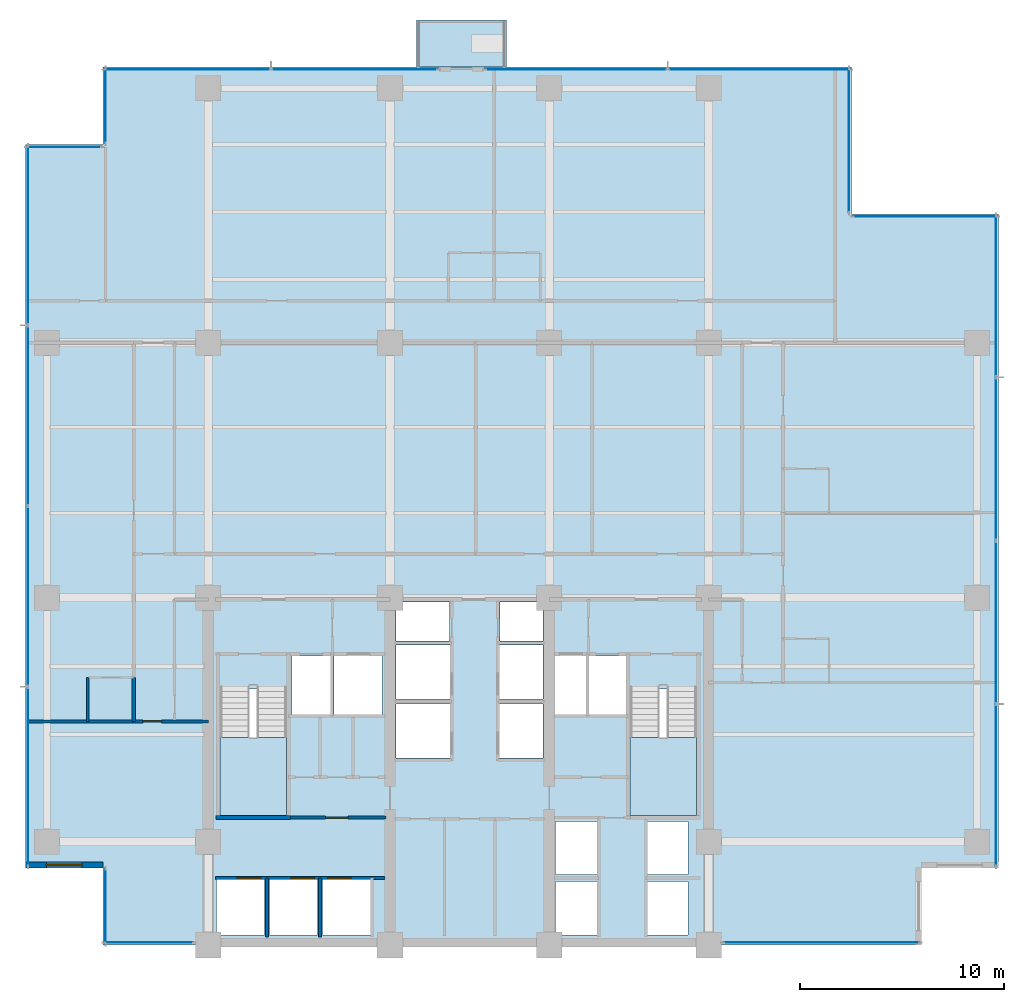
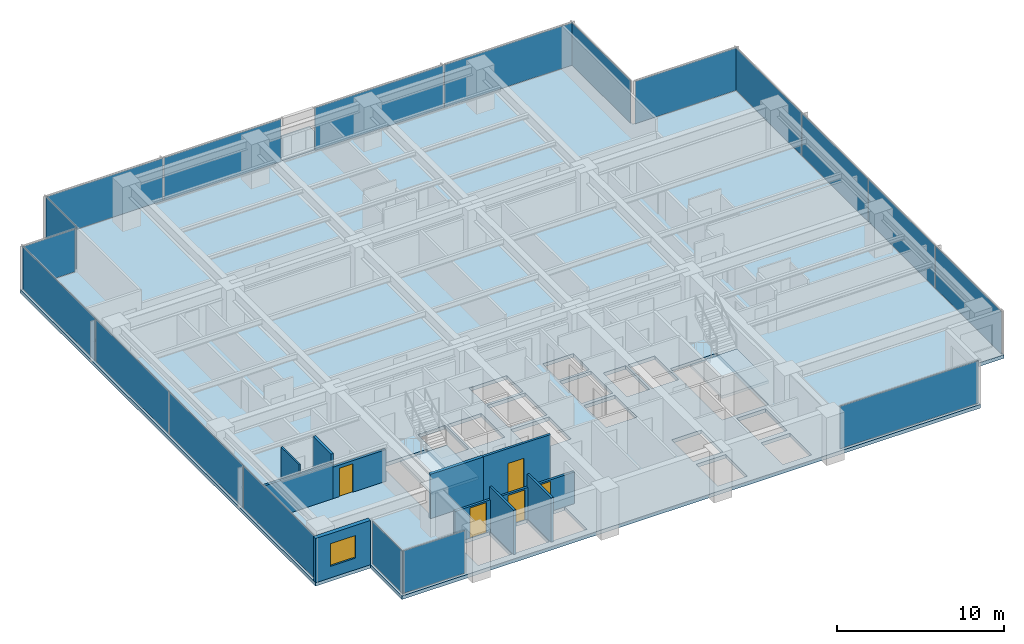
# One storey, part 7 of 16: 19 plates, 10 walls, 5 doors, 4 slabs, 1 window, 6 openings, 13 elements without a shape of their own.
"""IFC4 building model written with IfcOpenShell, lengths in metres."""

from ifc_helpers import new_model, si_unit, direction, frame, frame_2d, origin, origin_2d, place, context, subcontext, project, spatial, polyline, rectangle, outline, extrude, material, layer, layer_set, type_object, element, fill, aggregate, save


model = new_model("IFC4")

# Units and contexts
model_context = context("Model", 3, precision=1e-05, world=origin(), true_north=direction((0.0, 1.0)))
body_context = subcontext(model_context, "Body", "Model", "MODEL_VIEW")
ifc_project = project(units=[si_unit("LENGTHUNIT", "METRE"), si_unit("AREAUNIT", "SQUARE_METRE"), si_unit("VOLUMEUNIT", "CUBIC_METRE"), si_unit("PLANEANGLEUNIT", "RADIAN"), si_unit("MASSUNIT", "GRAM", prefix="KILO")], contexts=[model_context])

# Site, building, storey
site_placement = place(None, origin())
site = spatial("IfcSite", under=ifc_project, at=site_placement, CompositionType="ELEMENT")
building_placement = place(site_placement, origin())
building = spatial("IfcBuilding", under=site, at=building_placement, Name="Qalmaran Belvedere Hotel", CompositionType="ELEMENT")
storey_placement = place(building_placement, frame((0.0, 0.0, 123.199951171875)))
storey = spatial("IfcBuildingStorey", under=building, at=storey_placement, Name="L31", CompositionType="ELEMENT", Elevation=123.199951171875)

# Curtain wall, plate
ifc_material_1 = material(Name="Anodised Bronze Aluminium", Category="aluminium")
ifc_layer_1 = layer(ifc_material_1, 0.199951171875, Name="Anodised Bronze Aluminium")
ifc_layer_set_1 = layer_set([ifc_layer_1], Name="Anodised Bronze Aluminium")
curtain_wall_type = type_object("IfcCurtainWallType", Name="CW3-TOWER-LOWMID", PredefinedType="NOTDEFINED", material=ifc_layer_set_1)
curtain_wall_1_placement = place(storey_placement, origin())
curtain_wall_1 = element("IfcCurtainWall", 1, at=curtain_wall_1_placement, inside=storey, type_object=curtain_wall_type, Name="L31 Curtain Wall CW3", PredefinedType="NOTDEFINED")
ifc_material_2 = material(Name="Solar-Control Double Glazing", Category="glass")
ifc_layer_2 = layer(ifc_material_2, 0.028076171875, Name="Solar-Control Double Glazing")
ifc_layer_set_2 = layer_set([ifc_layer_2], Name="Solar-Control Double Glazing")
plate_type = type_object("IfcPlateType", Name="CWP-VISION-28", PredefinedType="CURTAIN_PANEL", material=ifc_layer_set_2)
plate_1_placement = place(storey_placement, frame((17.392578125, 3.6201171875, 0.06494140625), z_axis=(0.0, 0.0, 1.0), x_axis=(1.0, 0.0, 0.0)))
plate_1 = element("IfcPlate", 2, at=plate_1_placement, type_object=plate_type, Name="CW3 panel 1.1", PredefinedType="CURTAIN_PANEL", context=body_context, shape_type="SweptSolid", body=[
    extrude(rectangle(XDim=4.344970703125, YDim=0.028076171875, at=origin_2d()), origin(), (0.0, 0.0, 1.0), 3.110107421875),
])
aggregate(curtain_wall_1, [plate_1])

curtain_wall_2_placement = place(storey_placement, origin())
curtain_wall_2 = element("IfcCurtainWall", 3, at=curtain_wall_2_placement, inside=storey, type_object=curtain_wall_type, Name="L31 Curtain Wall CW3", PredefinedType="NOTDEFINED")
plate_2_placement = place(storey_placement, frame((50.33251953125, 3.6201171875, 0.06494140625), z_axis=(0.0, 0.0, 1.0), x_axis=(1.0, 0.0, 0.0)))
plate_2 = element("IfcPlate", 4, at=plate_2_placement, type_object=plate_type, Name="CW3 panel 1.1", PredefinedType="CURTAIN_PANEL", context=body_context, shape_type="SweptSolid", body=[
    extrude(rectangle(XDim=9.594970703125, YDim=0.028076171875, at=origin_2d()), origin(), (0.0, 0.0, 1.0), 3.110107421875),
])
aggregate(curtain_wall_2, [plate_2])

# Curtain wall, plates
curtain_wall_3_placement = place(storey_placement, origin())
curtain_wall_3 = element("IfcCurtainWall", 5, at=curtain_wall_3_placement, inside=storey, type_object=curtain_wall_type, Name="L31 Curtain Wall CW3", PredefinedType="NOTDEFINED")
plate_3_placement = place(storey_placement, frame((58.8798828125, 11.3173828125, 0.06494140625), z_axis=(0.0, 0.0, 1.0), x_axis=(0.0, 1.0, 0.0)))
plate_3 = element("IfcPlate", 6, at=plate_3_placement, type_object=plate_type, Name="CW3 panel 1.1", PredefinedType="CURTAIN_PANEL", context=body_context, shape_type="SweptSolid", body=[
    extrude(rectangle(XDim=7.89501953125, YDim=0.028076171875, at=origin_2d()), origin(), (0.0, 0.0, 1.0), 3.110107421875),
])
plate_4_placement = place(storey_placement, frame((58.8798828125, 19.300048828125, 0.06494140625), z_axis=(0.0, 0.0, 1.0), x_axis=(0.0, 1.0, 0.0)))
plate_4 = element("IfcPlate", 7, at=plate_4_placement, type_object=plate_type, Name="CW3 panel 2.1", PredefinedType="CURTAIN_PANEL", context=body_context, shape_type="SweptSolid", body=[
    extrude(rectangle(XDim=7.929931640625, YDim=0.028076171875, at=origin_2d()), origin(), (0.0, 0.0, 1.0), 3.110107421875),
])
plate_5_placement = place(storey_placement, frame((58.8798828125, 27.300048828125, 0.06494140625), z_axis=(0.0, 0.0, 1.0), x_axis=(0.0, 1.0, 0.0)))
plate_5 = element("IfcPlate", 8, at=plate_5_placement, type_object=plate_type, Name="CW3 panel 3.1", PredefinedType="CURTAIN_PANEL", context=body_context, shape_type="SweptSolid", body=[
    extrude(rectangle(XDim=7.929931640625, YDim=0.028076171875, at=origin_2d()), origin(), (0.0, 0.0, 1.0), 3.110107421875),
])
plate_6_placement = place(storey_placement, frame((58.8798828125, 35.282470703125, 0.06494140625), z_axis=(0.0, 0.0, 1.0), x_axis=(0.0, 1.0, 0.0)))
plate_6 = element("IfcPlate", 9, at=plate_6_placement, type_object=plate_type, Name="CW3 panel 4.1", PredefinedType="CURTAIN_PANEL", context=body_context, shape_type="SweptSolid", body=[
    extrude(rectangle(XDim=7.89501953125, YDim=0.028076171875, at=origin_2d()), origin(), (0.0, 0.0, 1.0), 3.110107421875),
])
aggregate(curtain_wall_3, [plate_3, plate_4, plate_5, plate_6])

# Curtain wall, plate
curtain_wall_4_placement = place(storey_placement, origin())
curtain_wall_4 = element("IfcCurtainWall", 10, at=curtain_wall_4_placement, inside=storey, type_object=curtain_wall_type, Name="L31 Curtain Wall CW3", PredefinedType="NOTDEFINED")
plate_7_placement = place(storey_placement, frame((55.39990234375, 39.179931640625, 0.06494140625), z_axis=(0.0, 0.0, 1.0), x_axis=(-1.0, 0.0, 0.0)))
plate_7 = element("IfcPlate", 11, at=plate_7_placement, type_object=plate_type, Name="CW3 panel 1.1", PredefinedType="CURTAIN_PANEL", context=body_context, shape_type="SweptSolid", body=[
    extrude(rectangle(XDim=7.06005859375, YDim=0.028076171875, at=origin_2d()), origin(), (0.0, 0.0, 1.0), 3.110107421875),
])
aggregate(curtain_wall_4, [plate_7])

curtain_wall_5_placement = place(storey_placement, origin())
curtain_wall_5 = element("IfcCurtainWall", 12, at=curtain_wall_5_placement, inside=storey, type_object=curtain_wall_type, Name="L31 Curtain Wall CW3", PredefinedType="NOTDEFINED")
plate_8_placement = place(storey_placement, frame((51.679931640625, 42.89990234375, 0.06494140625), z_axis=(0.0, 0.0, 1.0), x_axis=(0.0, 1.0, 0.0)))
plate_8 = element("IfcPlate", 13, at=plate_8_placement, type_object=plate_type, Name="CW3 panel 1.1", PredefinedType="CURTAIN_PANEL", context=body_context, shape_type="SweptSolid", body=[
    extrude(rectangle(XDim=7.06005859375, YDim=0.028076171875, at=origin_2d()), origin(), (0.0, 0.0, 1.0), 3.110107421875),
])
aggregate(curtain_wall_5, [plate_8])

# Curtain wall, plates
curtain_wall_6_placement = place(storey_placement, origin())
curtain_wall_6 = element("IfcCurtainWall", 14, at=curtain_wall_6_placement, inside=storey, type_object=curtain_wall_type, Name="L31 Curtain Wall CW3", PredefinedType="NOTDEFINED")
plate_9_placement = place(storey_placement, frame((27.469970703125, 46.3798828125, 0.06494140625), z_axis=(0.0, 0.0, 1.0), x_axis=(-1.0, 0.0, 0.0)))
plate_9 = element("IfcPlate", 15, at=plate_9_placement, type_object=plate_type, Name="CW3 panel 1.1", PredefinedType="CURTAIN_PANEL", context=body_context, shape_type="SweptSolid", body=[
    extrude(rectangle(XDim=8.1201171875, YDim=0.028076171875, at=origin_2d()), origin(), (0.0, 0.0, 1.0), 3.110107421875),
])
plate_10_placement = place(storey_placement, frame((19.280029296875, 46.3798828125, 0.06494140625), z_axis=(0.0, 0.0, 1.0), x_axis=(-1.0, 0.0, 0.0)))
plate_10 = element("IfcPlate", 16, at=plate_10_placement, type_object=plate_type, Name="CW3 panel 2.1", PredefinedType="CURTAIN_PANEL", context=body_context, shape_type="SweptSolid", body=[
    extrude(rectangle(XDim=8.1201171875, YDim=0.028076171875, at=origin_2d()), origin(), (0.0, 0.0, 1.0), 3.110107421875),
])
aggregate(curtain_wall_6, [plate_9, plate_10])

curtain_wall_7_placement = place(storey_placement, origin())
curtain_wall_7 = element("IfcCurtainWall", 17, at=curtain_wall_7_placement, inside=storey, type_object=curtain_wall_type, Name="L31 Curtain Wall CW3", PredefinedType="NOTDEFINED")
plate_11_placement = place(storey_placement, frame((47.282470703125, 46.3798828125, 0.06494140625), z_axis=(0.0, 0.0, 1.0), x_axis=(-1.0, 0.0, 0.0)))
plate_11 = element("IfcPlate", 18, at=plate_11_placement, type_object=plate_type, Name="CW3 panel 1.1", PredefinedType="CURTAIN_PANEL", context=body_context, shape_type="SweptSolid", body=[
    extrude(rectangle(XDim=8.89501953125, YDim=0.028076171875, at=origin_2d()), origin(), (0.0, 0.0, 1.0), 3.110107421875),
])
plate_12_placement = place(storey_placement, frame((38.3173828125, 46.3798828125, 0.06494140625), z_axis=(0.0, 0.0, 1.0), x_axis=(-1.0, 0.0, 0.0)))
plate_12 = element("IfcPlate", 19, at=plate_12_placement, type_object=plate_type, Name="CW3 panel 2.1", PredefinedType="CURTAIN_PANEL", context=body_context, shape_type="SweptSolid", body=[
    extrude(rectangle(XDim=8.89501953125, YDim=0.028076171875, at=origin_2d()), origin(), (0.0, 0.0, 1.0), 3.110107421875),
])
aggregate(curtain_wall_7, [plate_11, plate_12])

# Curtain wall, plate
curtain_wall_8_placement = place(storey_placement, origin())
curtain_wall_8 = element("IfcCurtainWall", 20, at=curtain_wall_8_placement, inside=storey, type_object=curtain_wall_type, Name="L31 Curtain Wall CW3", PredefinedType="NOTDEFINED")
plate_13_placement = place(storey_placement, frame((15.27001953125, 44.60009765625, 0.06494140625), z_axis=(0.0, 0.0, 1.0), x_axis=(0.0, -1.0, 0.0)))
plate_13 = element("IfcPlate", 21, at=plate_13_placement, type_object=plate_type, Name="CW3 panel 1.1", PredefinedType="CURTAIN_PANEL", context=body_context, shape_type="SweptSolid", body=[
    extrude(rectangle(XDim=3.659912109375, YDim=0.028076171875, at=origin_2d()), origin(), (0.0, 0.0, 1.0), 3.110107421875),
])
aggregate(curtain_wall_8, [plate_13])

curtain_wall_9_placement = place(storey_placement, origin())
curtain_wall_9 = element("IfcCurtainWall", 22, at=curtain_wall_9_placement, inside=storey, type_object=curtain_wall_type, Name="L31 Curtain Wall CW3", PredefinedType="NOTDEFINED")
plate_14_placement = place(storey_placement, frame((13.25, 42.580078125, 0.06494140625), z_axis=(0.0, 0.0, 1.0), x_axis=(-1.0, 0.0, 0.0)))
plate_14 = element("IfcPlate", 23, at=plate_14_placement, type_object=plate_type, Name="CW3 panel 1.1", PredefinedType="CURTAIN_PANEL", context=body_context, shape_type="SweptSolid", body=[
    extrude(rectangle(XDim=3.659912109375, YDim=0.028076171875, at=origin_2d()), origin(), (0.0, 0.0, 1.0), 3.110107421875),
])
aggregate(curtain_wall_9, [plate_14])

# Curtain wall, plates
curtain_wall_10_placement = place(storey_placement, origin())
curtain_wall_10 = element("IfcCurtainWall", 24, at=curtain_wall_10_placement, inside=storey, type_object=curtain_wall_type, Name="L31 Curtain Wall CW3", PredefinedType="NOTDEFINED")
plate_15_placement = place(storey_placement, frame((11.469970703125, 38.257568359375, 0.06494140625), z_axis=(0.0, 0.0, 1.0), x_axis=(0.0, -1.0, 0.0)))
plate_15 = element("IfcPlate", 25, at=plate_15_placement, type_object=plate_type, Name="CW3 panel 1.1", PredefinedType="CURTAIN_PANEL", context=body_context, shape_type="SweptSolid", body=[
    extrude(rectangle(XDim=8.7451171875, YDim=0.028076171875, at=origin_2d()), origin(), (0.0, 0.0, 1.0), 3.110107421875),
])
plate_16_placement = place(storey_placement, frame((11.469970703125, 29.425048828125, 0.06494140625), z_axis=(0.0, 0.0, 1.0), x_axis=(0.0, -1.0, 0.0)))
plate_16 = element("IfcPlate", 26, at=plate_16_placement, type_object=plate_type, Name="CW3 panel 2.1", PredefinedType="CURTAIN_PANEL", context=body_context, shape_type="SweptSolid", body=[
    extrude(rectangle(XDim=8.780029296875, YDim=0.028076171875, at=origin_2d()), origin(), (0.0, 0.0, 1.0), 3.110107421875),
])
plate_17_placement = place(storey_placement, frame((11.469970703125, 20.574951171875, 0.06494140625), z_axis=(0.0, 0.0, 1.0), x_axis=(0.0, -1.0, 0.0)))
plate_17 = element("IfcPlate", 27, at=plate_17_placement, type_object=plate_type, Name="CW3 panel 3.1", PredefinedType="CURTAIN_PANEL", context=body_context, shape_type="SweptSolid", body=[
    extrude(rectangle(XDim=8.780029296875, YDim=0.028076171875, at=origin_2d()), origin(), (0.0, 0.0, 1.0), 3.110107421875),
])
plate_18_placement = place(storey_placement, frame((11.469970703125, 11.742431640625, 0.06494140625), z_axis=(0.0, 0.0, 1.0), x_axis=(0.0, -1.0, 0.0)))
plate_18 = element("IfcPlate", 28, at=plate_18_placement, type_object=plate_type, Name="CW3 panel 4.1", PredefinedType="CURTAIN_PANEL", context=body_context, shape_type="SweptSolid", body=[
    extrude(rectangle(XDim=8.7451171875, YDim=0.028076171875, at=origin_2d()), origin(), (0.0, 0.0, 1.0), 3.110107421875),
])
aggregate(curtain_wall_10, [plate_15, plate_16, plate_17, plate_18])

# Curtain wall, plate
curtain_wall_11_placement = place(storey_placement, origin())
curtain_wall_11 = element("IfcCurtainWall", 29, at=curtain_wall_11_placement, inside=storey, type_object=curtain_wall_type, Name="L31 Curtain Wall CW3", PredefinedType="NOTDEFINED")
plate_19_placement = place(storey_placement, frame((15.27001953125, 5.39990234375, 0.06494140625), z_axis=(0.0, 0.0, 1.0), x_axis=(0.0, -1.0, 0.0)))
plate_19 = element("IfcPlate", 30, at=plate_19_placement, type_object=plate_type, Name="CW3 panel 1.1", PredefinedType="CURTAIN_PANEL", context=body_context, shape_type="SweptSolid", body=[
    extrude(rectangle(XDim=3.659912109375, YDim=0.028076171875, at=origin_2d()), origin(), (0.0, 0.0, 1.0), 3.110107421875),
])
aggregate(curtain_wall_11, [plate_19])

# Slab
ifc_material_3 = material(Name="Concrete C40/50", Category="concrete")
ifc_layer_3 = layer(ifc_material_3, 0.219970703125, Name="Concrete C40/50")
ifc_layer_set_3 = layer_set([ifc_layer_3], Name="Concrete C40/50")
slab_type_1 = type_object("IfcSlabType", Name="SLB-BAL-220", PredefinedType="USERDEFINED", material=ifc_layer_set_3)
slab_1_placement = place(storey_placement, frame((0.0, 0.0, -0.219970703125)))
element("IfcSlab", 31, at=slab_1_placement, inside=storey, type_object=slab_type_1, Name="L31 Planted Tree Balcony Slab 1", ObjectType="BALCONY", PredefinedType="USERDEFINED", context=body_context, shape_type="SweptSolid", body=[
    extrude(outline(polyline([(30.5, 46.5), (34.89990234375, 46.5), (34.89990234375, 48.800048828125), (30.5, 48.800048828125), (30.5, 46.5)])), origin(), (0.0, 0.0, 1.0), 0.219970703125),
])

# Stair, slab
stair_type_1 = type_object("IfcStairType", Name="STR-ST-1-1450-R1750", PredefinedType="HALF_TURN_STAIR", material=ifc_material_3)
stair_1_placement = place(storey_placement, origin())
stair_1 = element("IfcStair", 32, at=stair_1_placement, inside=storey, type_object=stair_type_1, Name="L31 West Core Exit Stair ST-1", PredefinedType="HALF_TURN_STAIR")
ifc_layer_4 = layer(ifc_material_3, 0.199951171875, Name="Concrete C40/50")
ifc_layer_set_4 = layer_set([ifc_layer_4], Name="Concrete C40/50")
slab_type_2 = type_object("IfcSlabType", Name="SLB-STAIR-LANDING-200", PredefinedType="LANDING", material=ifc_layer_set_4)
slab_2_placement = place(storey_placement, frame((0.0, 0.0, 1.550048828125)))
slab_2 = element("IfcSlab", 33, at=slab_2_placement, type_object=slab_type_2, Name="ST-1 landing 1", PredefinedType="LANDING", context=body_context, shape_type="SweptSolid", body=[
    extrude(outline(polyline([(20.8798828125, 13.669921875), (20.8798828125, 9.85009765625), (24.1201171875, 9.85009765625), (24.1201171875, 13.669921875), (20.8798828125, 13.669921875)])), origin(), (0.0, 0.0, 1.0), 0.199951171875),
])
aggregate(stair_1, [slab_2])

stair_type_2 = type_object("IfcStairType", Name="STR-ST-2-1450-R1750", PredefinedType="HALF_TURN_STAIR", material=ifc_material_3)
stair_2_placement = place(storey_placement, origin())
stair_2 = element("IfcStair", 34, at=stair_2_placement, inside=storey, type_object=stair_type_2, Name="L31 East Core Exit Stair ST-2", PredefinedType="HALF_TURN_STAIR")
slab_3_placement = place(storey_placement, frame((0.0, 0.0, 1.550048828125)))
slab_3 = element("IfcSlab", 35, at=slab_3_placement, type_object=slab_type_2, Name="ST-2 landing 1", PredefinedType="LANDING", context=body_context, shape_type="SweptSolid", body=[
    extrude(outline(polyline([(40.9599609375, 13.669921875), (40.9599609375, 9.85009765625), (44.199951171875, 9.85009765625), (44.199951171875, 13.669921875), (40.9599609375, 13.669921875)])), origin(), (0.0, 0.0, 1.0), 0.199951171875),
])
aggregate(stair_2, [slab_3])

# Slab
ifc_layer_5 = layer(ifc_material_3, 0.260009765625, Name="Concrete C40/50")
ifc_layer_set_5 = layer_set([ifc_layer_5], Name="Concrete C40/50")
slab_type_3 = type_object("IfcSlabType", Name="SLB-Z2-260", PredefinedType="FLOOR", material=ifc_layer_set_5)
slab_4_placement = place(storey_placement, frame((0.0, 0.0, -0.260009765625)))
element("IfcSlab", 36, at=slab_4_placement, inside=storey, type_object=slab_type_3, Name="L31 Structural Floor Slab", PredefinedType="FLOOR", context=body_context, shape_type="SweptSolid", body=[
    extrude(outline(polyline([(15.14990234375, 3.5), (55.199951171875, 3.5), (55.199951171875, 7.300048828125), (59.0, 7.300048828125), (59.0, 39.300048828125), (51.800048828125, 39.300048828125), (51.800048828125, 46.5), (15.14990234375, 46.5), (15.14990234375, 42.699951171875), (11.35009765625, 42.699951171875), (11.35009765625, 7.300048828125), (15.14990234375, 7.300048828125), (15.14990234375, 3.5)]), holes=[polyline([(20.8798828125, 9.85009765625), (24.1201171875, 9.85009765625), (24.1201171875, 16.0400390625), (20.8798828125, 16.0400390625), (20.8798828125, 9.85009765625)]), polyline([(40.9599609375, 9.85009765625), (44.199951171875, 9.85009765625), (44.199951171875, 16.0400390625), (40.9599609375, 16.0400390625), (40.9599609375, 9.85009765625)]), polyline([(29.4951171875, 12.64990234375), (32.14990234375, 12.64990234375), (32.14990234375, 15.300048828125), (29.4951171875, 15.300048828125), (29.4951171875, 12.64990234375)]), polyline([(29.4951171875, 15.550048828125), (32.14990234375, 15.550048828125), (32.14990234375, 18.199951171875), (29.4951171875, 18.199951171875), (29.4951171875, 15.550048828125)]), polyline([(34.550048828125, 12.64990234375), (36.705078125, 12.64990234375), (36.705078125, 15.300048828125), (34.550048828125, 15.300048828125), (34.550048828125, 12.64990234375)]), polyline([(34.550048828125, 15.550048828125), (36.705078125, 15.550048828125), (36.705078125, 18.199951171875), (34.550048828125, 18.199951171875), (34.550048828125, 15.550048828125)]), polyline([(37.300048828125, 4.0), (39.35009765625, 4.0), (39.35009765625, 6.60009765625), (37.300048828125, 6.60009765625), (37.300048828125, 4.0)]), polyline([(37.300048828125, 6.949951171875), (39.35009765625, 6.949951171875), (39.35009765625, 9.550048828125), (37.300048828125, 9.550048828125), (37.300048828125, 6.949951171875)]), polyline([(41.800048828125, 4.0), (43.800048828125, 4.0), (43.800048828125, 6.60009765625), (41.800048828125, 6.60009765625), (41.800048828125, 4.0)]), polyline([(41.800048828125, 6.949951171875), (43.800048828125, 6.949951171875), (43.800048828125, 9.550048828125), (41.800048828125, 9.550048828125), (41.800048828125, 6.949951171875)]), polyline([(20.699951171875, 4.0), (23.050048828125, 4.0), (23.050048828125, 6.699951171875), (20.699951171875, 6.699951171875), (20.699951171875, 4.0)]), polyline([(23.300048828125, 4.0), (25.64990234375, 4.0), (25.64990234375, 6.699951171875), (23.300048828125, 6.699951171875), (23.300048828125, 4.0)]), polyline([(25.89990234375, 4.0), (28.25, 4.0), (28.25, 6.699951171875), (25.89990234375, 6.699951171875), (25.89990234375, 4.0)]), polyline([(24.39990234375, 14.800048828125), (26.300048828125, 14.800048828125), (26.300048828125, 17.64990234375), (24.39990234375, 17.64990234375), (24.39990234375, 14.800048828125)]), polyline([(38.949951171875, 14.800048828125), (40.820068359375, 14.800048828125), (40.820068359375, 17.64990234375), (38.949951171875, 17.64990234375), (38.949951171875, 14.800048828125)]), polyline([(26.449951171875, 14.800048828125), (28.800048828125, 14.800048828125), (28.800048828125, 17.64990234375), (26.449951171875, 17.64990234375), (26.449951171875, 14.800048828125)]), polyline([(37.25, 14.800048828125), (38.800048828125, 14.800048828125), (38.800048828125, 17.64990234375), (37.25, 17.64990234375), (37.25, 14.800048828125)]), polyline([(29.4951171875, 18.3798828125), (32.1201171875, 18.3798828125), (32.1201171875, 20.300048828125), (29.4951171875, 20.300048828125), (29.4951171875, 18.3798828125)]), polyline([(34.580078125, 18.3798828125), (36.705078125, 18.3798828125), (36.705078125, 20.300048828125), (34.580078125, 20.300048828125), (34.580078125, 18.3798828125)])]), origin(), (0.0, 0.0, 1.0), 0.260009765625),
])

# Wall, opening, window
ifc_material_4 = material(Name="Anodised Bronze Cladding")
ifc_layer_6 = layer(ifc_material_4, 0.280029296875, Name="Anodised Bronze Cladding")
ifc_layer_set_6 = layer_set([ifc_layer_6], Name="Anodised Bronze Cladding")
wall_type_1 = type_object("IfcWallType", Name="WL-EXT-BRNZ-280", PredefinedType="SOLIDWALL", material=ifc_layer_set_6)
wall_1_placement = place(storey_placement, frame((11.35009765625, 7.419921875, 0.0), z_axis=(0.0, 0.0, 1.0), x_axis=(1.0, 0.0, 0.0)))
wall_1 = element("IfcWall", 37, at=wall_1_placement, inside=storey, type_object=wall_type_1, Name="L31 Corner Notch Wall 10", PredefinedType="SOLIDWALL", context=body_context, shape_type="SweptSolid", body=[
    extrude(rectangle(XDim=3.7998046875, YDim=0.280029296875, at=frame_2d((1.89990234375, 0.0))), origin(), (0.0, 0.0, 1.0), 3.239990234375),
])
opening_1_placement = place(wall_1_placement, frame((1.02490234375, 0.0, 0.85009765625)))
opening_1 = element("IfcOpeningElement", 38, at=opening_1_placement, cuts=wall_1, Name="Opening W-N17", PredefinedType="OPENING", context=body_context, shape_type="SweptSolid", body=[
    extrude(rectangle(XDim=1.75, YDim=1.64990234375, at=frame_2d((0.875, 0.824951171875))), frame((0.0, 0.14990234375, 0.0), z_axis=(0.0, -1.0, 0.0), x_axis=(1.0, 0.0, 0.0)), (0.0, 0.0, 1.0), 0.300048828125),
])
window_type = type_object("IfcWindowType", Name="WN-NTC-1750X1650", PartitioningType="SINGLE_PANEL", PredefinedType="WINDOW", material=ifc_material_2)
window_placement = place(opening_1_placement, origin())
window = element("IfcWindow", 39, at=window_placement, inside=storey, type_object=window_type, Name="L31 Corner Notch Window 10", OverallHeight=1.64990234375, OverallWidth=1.75, PartitioningType="SINGLE_PANEL", PredefinedType="WINDOW", context=body_context, shape_type="SweptSolid", body=[
    extrude(rectangle(XDim=1.75, YDim=1.64990234375, at=frame_2d((0.875, 0.824951171875))), frame((0.0, 0.030029296875, 0.0), z_axis=(0.0, -1.0, 0.0), x_axis=(1.0, 0.0, 0.0)), (0.0, 0.0, 1.0), 0.06005859375),
])
fill(opening_1, window)

# Walls
ifc_material_5 = material(Name="Moisture-Resistant Gypsum")
ifc_layer_7 = layer(ifc_material_5, 0.1201171875, Name="Moisture-Resistant Gypsum")
ifc_layer_set_7 = layer_set([ifc_layer_7], Name="Moisture-Resistant Gypsum")
wall_type_2 = type_object("IfcWallType", Name="WL-INT-120-BATH", PredefinedType="PARTITIONING", material=ifc_layer_set_7)
wall_2_placement = place(storey_placement, frame((14.39990234375, 14.449951171875, 0.0), z_axis=(0.0, 0.0, 1.0), x_axis=(0.0, 1.0, 0.0)))
element("IfcWall", 40, at=wall_2_placement, inside=storey, type_object=wall_type_2, Name="L31 Partition WL-L31-WBS00", PredefinedType="PARTITIONING", context=body_context, shape_type="SweptSolid", body=[
    extrude(rectangle(XDim=2.150146484375, YDim=0.1201171875, at=frame_2d((1.0751953125, 0.0))), origin(), (0.0, 0.0, 1.0), 3.239990234375),
])
ifc_material_6 = material(Name="Gypsum Stud Partition")
ifc_layer_8 = layer(ifc_material_6, 0.14990234375, Name="Gypsum Stud Partition")
ifc_layer_set_8 = layer_set([ifc_layer_8], Name="Gypsum Stud Partition")
wall_type_3 = type_object("IfcWallType", Name="WL-INT-150-EI120", PredefinedType="PARTITIONING", material=ifc_layer_set_8)
for number, where, z_axis, x_axis, name in (
    (41, (23.179931640625, 3.89990234375, 0.0), (0.0, 0.0, 1.0), (0.0, 1.0, 0.0), "L31 Partition WL-POM1-L31"),
    (42, (25.780029296875, 3.89990234375, 0.0), (0.0, 0.0, 1.0), (0.0, 1.0, 0.0), "L31 Partition WL-POM2-L31"),
):
    element("IfcWall", number, at=place(storey_placement, frame(where, z_axis=z_axis, x_axis=x_axis)), inside=storey, type_object=wall_type_3, Name=name, PredefinedType="PARTITIONING", context=body_context, shape_type="SweptSolid", body=[
        extrude(rectangle(XDim=2.880126953125, YDim=0.14990234375, at=frame_2d((1.43994140625, 0.0))), origin(), (0.0, 0.0, 1.0), 3.239990234375),
    ])

# Wall, openings, doors
ifc_layer_9 = layer(ifc_material_6, 0.159912109375, Name="Gypsum Stud Partition")
ifc_layer_set_9 = layer_set([ifc_layer_9], Name="Gypsum Stud Partition")
wall_type_4 = type_object("IfcWallType", Name="WL-INT-160-EI120", PredefinedType="PARTITIONING", material=ifc_layer_set_9)
wall_3_placement = place(storey_placement, frame((20.64990234375, 6.780029296875, 0.0), z_axis=(0.0, 0.0, 1.0), x_axis=(1.0, 0.0, 0.0)))
wall_3 = element("IfcWall", 43, at=wall_3_placement, inside=storey, type_object=wall_type_4, Name="L31 Partition WL-POS-L31", PredefinedType="PARTITIONING", context=body_context, shape_type="SweptSolid", body=[
    extrude(rectangle(XDim=8.300048828125, YDim=0.159912109375, at=frame_2d((4.14990234375, 0.0))), origin(), (0.0, 0.0, 1.0), 2.31298828125),
])
opening_2_placement = place(wall_3_placement, frame((3.69482421875, 0.0, 0.0)))
opening_2 = element("IfcOpeningElement", 44, at=opening_2_placement, cuts=wall_3, Name="Opening LD-PO", PredefinedType="OPENING", context=body_context, shape_type="SweptSolid", body=[
    extrude(rectangle(XDim=1.14990234375, YDim=2.199951171875, at=frame_2d((0.574951171875, 1.10009765625))), frame((0.0, 0.08984375, 0.0), z_axis=(0.0, -1.0, 0.0), x_axis=(1.0, 0.0, 0.0)), (0.0, 0.0, 1.0), 0.179931640625),
])
opening_3_placement = place(wall_3_placement, frame((5.4921875, 0.0, 0.0)))
opening_3 = element("IfcOpeningElement", 45, at=opening_3_placement, cuts=wall_3, Name="Opening LD-PO", PredefinedType="OPENING", context=body_context, shape_type="SweptSolid", body=[
    extrude(rectangle(XDim=1.14990234375, YDim=2.199951171875, at=frame_2d((0.574951171875, 1.10009765625))), frame((0.0, 0.08984375, 0.0), z_axis=(0.0, -1.0, 0.0), x_axis=(1.0, 0.0, 0.0)), (0.0, 0.0, 1.0), 0.179931640625),
])
opening_4_placement = place(wall_3_placement, frame((1.058837890625, 0.0, 0.0)))
opening_4 = element("IfcOpeningElement", 46, at=opening_4_placement, cuts=wall_3, Name="Opening LD-PO", PredefinedType="OPENING", context=body_context, shape_type="SweptSolid", body=[
    extrude(rectangle(XDim=1.14990234375, YDim=2.199951171875, at=frame_2d((0.574951171875, 1.10009765625))), frame((0.0, 0.08984375, 0.0), z_axis=(0.0, -1.0, 0.0), x_axis=(1.0, 0.0, 0.0)), (0.0, 0.0, 1.0), 0.179931640625),
])
door_type_1 = type_object("IfcDoorType", Name="DR-LIFT-PO-1150X2200", OperationType="DOUBLE_DOOR_SLIDING", PredefinedType="DOOR", material=ifc_material_1)
door_1_placement = place(opening_2_placement, origin())
door_1 = element("IfcDoor", 47, at=door_1_placement, inside=storey, type_object=door_type_1, Name="L31 PO1 Shuttle Landing Door", OperationType="DOUBLE_DOOR_SLIDING", OverallHeight=2.199951171875, OverallWidth=1.14990234375, PredefinedType="DOOR", context=body_context, shape_type="SweptSolid", body=[
    extrude(rectangle(XDim=1.14990234375, YDim=2.199951171875, at=frame_2d((0.574951171875, 1.10009765625))), frame((0.0, 0.02490234375, 0.0), z_axis=(0.0, -1.0, 0.0), x_axis=(1.0, 0.0, 0.0)), (0.0, 0.0, 1.0), 0.050048828125),
])
fill(opening_2, door_1)
door_2_placement = place(opening_3_placement, origin())
door_2 = element("IfcDoor", 48, at=door_2_placement, inside=storey, type_object=door_type_1, Name="L31 PO2 Shuttle Landing Door", OperationType="DOUBLE_DOOR_SLIDING", OverallHeight=2.199951171875, OverallWidth=1.14990234375, PredefinedType="DOOR", context=body_context, shape_type="SweptSolid", body=[
    extrude(rectangle(XDim=1.14990234375, YDim=2.199951171875, at=frame_2d((0.574951171875, 1.10009765625))), frame((0.0, 0.02490234375, 0.0), z_axis=(0.0, -1.0, 0.0), x_axis=(1.0, 0.0, 0.0)), (0.0, 0.0, 1.0), 0.050048828125),
])
fill(opening_3, door_2)
door_3_placement = place(opening_4_placement, origin())
door_3 = element("IfcDoor", 49, at=door_3_placement, inside=storey, type_object=door_type_1, Name="L31 PO3 Shuttle Landing Door", OperationType="DOUBLE_DOOR_SLIDING", OverallHeight=2.199951171875, OverallWidth=1.14990234375, PredefinedType="DOOR", context=body_context, shape_type="SweptSolid", body=[
    extrude(rectangle(XDim=1.14990234375, YDim=2.199951171875, at=frame_2d((0.574951171875, 1.10009765625))), frame((0.0, 0.02490234375, 0.0), z_axis=(0.0, -1.0, 0.0), x_axis=(1.0, 0.0, 0.0)), (0.0, 0.0, 1.0), 0.050048828125),
])
fill(opening_4, door_3)

# Wall, opening, door
wall_4_placement = place(storey_placement, frame((24.199951171875, 9.739990234375, 0.0), z_axis=(0.0, 0.0, 1.0), x_axis=(1.0, 0.0, 0.0)))
wall_4 = element("IfcWall", 50, at=wall_4_placement, inside=storey, type_object=wall_type_4, Name="L31 Partition WL-PON-L31", PredefinedType="PARTITIONING", context=body_context, shape_type="SweptSolid", body=[
    extrude(rectangle(XDim=4.800048828125, YDim=0.159912109375, at=frame_2d((2.39990234375, 0.0))), origin(), (0.0, 0.0, 1.0), 3.239990234375),
])
opening_5_placement = place(wall_4_placement, frame((1.85009765625, 0.0, 0.0)))
opening_5 = element("IfcOpeningElement", 51, at=opening_5_placement, cuts=wall_4, Name="Opening FD90", PredefinedType="OPENING", context=body_context, shape_type="SweptSolid", body=[
    extrude(rectangle(XDim=1.10009765625, YDim=2.14990234375, at=frame_2d((0.550048828125, 1.074951171875))), frame((0.0, 0.08984375, 0.0), z_axis=(0.0, -1.0, 0.0), x_axis=(1.0, 0.0, 0.0)), (0.0, 0.0, 1.0), 0.179931640625),
])
ifc_material_7 = material(Name="Steel S355JR", Category="steel")
door_type_2 = type_object("IfcDoorType", Name="DR-FD90-1100X2150", OperationType="NOTDEFINED", PredefinedType="DOOR", material=ifc_material_7)
door_4_placement = place(opening_5_placement, origin())
door_4 = element("IfcDoor", 52, at=door_4_placement, inside=storey, type_object=door_type_2, Name="L31 Shuttle Lobby Passage Door", OperationType="SINGLE_SWING_RIGHT", OverallHeight=2.14990234375, OverallWidth=1.10009765625, PredefinedType="DOOR", context=body_context, shape_type="SweptSolid", body=[
    extrude(rectangle(XDim=1.10009765625, YDim=2.14990234375, at=frame_2d((0.550048828125, 1.074951171875))), frame((0.0, 0.02490234375, 0.0), z_axis=(0.0, -1.0, 0.0), x_axis=(1.0, 0.0, 0.0)), (0.0, 0.0, 1.0), 0.050048828125),
])
fill(opening_5, door_4)

ifc_layer_10 = layer(ifc_material_6, 0.159912109375, Name="Gypsum Stud Partition")
ifc_layer_set_10 = layer_set([ifc_layer_10], Name="Gypsum Stud Partition")
wall_type_5 = type_object("IfcWallType", Name="WL-INT-160-EI60", PredefinedType="PARTITIONING", material=ifc_layer_set_10)
wall_5_placement = place(storey_placement, frame((16.64990234375, 14.449951171875, 0.0), z_axis=(0.0, 0.0, 1.0), x_axis=(1.0, 0.0, 0.0)))
wall_5 = element("IfcWall", 53, at=wall_5_placement, inside=storey, type_object=wall_type_5, Name="L31 Partition WL-L31-SWRL", PredefinedType="PARTITIONING", context=body_context, shape_type="SweptSolid", body=[
    extrude(rectangle(XDim=3.650146484375, YDim=0.159912109375, at=frame_2d((1.8251953125, 0.0))), origin(), (0.0, 0.0, 1.0), 2.31298828125),
])
opening_6_placement = place(wall_5_placement, frame((1.369873046875, 0.0, 0.0), z_axis=(0.0, 0.0, 1.0), x_axis=(-1.0, 0.0, 0.0)))
opening_6 = element("IfcOpeningElement", 54, at=opening_6_placement, cuts=wall_5, Name="Opening FD60S1", PredefinedType="OPENING", context=body_context, shape_type="SweptSolid", body=[
    extrude(rectangle(XDim=0.919921875, YDim=2.080078125, at=frame_2d((0.4599609375, 1.0400390625))), frame((0.0, 0.08984375, 0.0), z_axis=(0.0, -1.0, 0.0), x_axis=(1.0, 0.0, 0.0)), (0.0, 0.0, 1.0), 0.179931640625),
])
ifc_material_8 = material(Name="Engineered Oak Veneer")
door_type_3 = type_object("IfcDoorType", Name="DR-FD60S-920X2080", OperationType="NOTDEFINED", PredefinedType="DOOR", material=ifc_material_8)
door_5_placement = place(opening_6_placement, origin())
door_5 = element("IfcDoor", 55, at=door_5_placement, inside=storey, type_object=door_type_3, Name="L31 SW Lounge Door", OperationType="SINGLE_SWING_LEFT", OverallHeight=2.080078125, OverallWidth=0.919921875, PredefinedType="DOOR", context=body_context, shape_type="SweptSolid", body=[
    extrude(rectangle(XDim=0.919921875, YDim=2.080078125, at=frame_2d((0.4599609375, 1.0400390625))), frame((0.0, 0.02490234375, 0.0), z_axis=(0.0, -1.0, 0.0), x_axis=(1.0, 0.0, 0.0)), (0.0, 0.0, 1.0), 0.050048828125),
])
fill(opening_6, door_5)

# Walls
wall_6_placement = place(storey_placement, frame((11.469970703125, 14.449951171875, 0.0), z_axis=(0.0, 0.0, 1.0), x_axis=(1.0, 0.0, 0.0)))
element("IfcWall", 56, at=wall_6_placement, inside=storey, type_object=wall_type_5, Name="L31 Partition WL-L31-WBOT", PredefinedType="PARTITIONING", context=body_context, shape_type="SweptSolid", body=[
    extrude(rectangle(XDim=5.179931640625, YDim=0.159912109375, at=frame_2d((2.58984375, 0.0))), origin(), (0.0, 0.0, 1.0), 2.60302734375),
])
ifc_layer_11 = layer(ifc_material_6, 0.179931640625, Name="Gypsum Stud Partition")
ifc_layer_set_11 = layer_set([ifc_layer_11], Name="Gypsum Stud Partition")
wall_type_6 = type_object("IfcWallType", Name="WL-INT-180-EI60", PredefinedType="PARTITIONING", material=ifc_layer_set_11)
wall_7_placement = place(storey_placement, frame((16.64990234375, 14.449951171875, 0.0), z_axis=(0.0, 0.0, 1.0), x_axis=(0.0, 1.0, 0.0)))
element("IfcWall", 57, at=wall_7_placement, inside=storey, type_object=wall_type_6, Name="L31 Partition WL-L31-WBC00", PredefinedType="PARTITIONING", context=body_context, shape_type="SweptSolid", body=[
    extrude(rectangle(XDim=2.150146484375, YDim=0.179931640625, at=frame_2d((1.0751953125, 0.0))), origin(), (0.0, 0.0, 1.0), 3.239990234375),
])
ifc_material_9 = material(Name="Concrete C50/60", Category="concrete")
ifc_layer_12 = layer(ifc_material_9, 0.2099609375, Name="Concrete C50/60")
ifc_layer_set_12 = layer_set([ifc_layer_12], Name="Concrete C50/60")
wall_type_7 = type_object("IfcWallType", Name="WL-STAIR-210-C50", PredefinedType="SHEAR", material=ifc_layer_set_12)
wall_8_placement = place(storey_placement, frame((20.669921875, 9.7451171875, 0.0), z_axis=(0.0, 0.0, 1.0), x_axis=(1.0, 0.0, 0.0)))
element("IfcWall", 58, at=wall_8_placement, inside=storey, type_object=wall_type_7, Name="L31 Stair ST-1 South Bearing Wall", PredefinedType="SHEAR", context=body_context, shape_type="SweptSolid", body=[
    extrude(rectangle(XDim=3.66015625, YDim=0.2099609375, at=frame_2d((1.830078125, 0.0))), origin(), (0.0, 0.0, 1.0), 3.239990234375),
])

save(model, "model.ifc")
